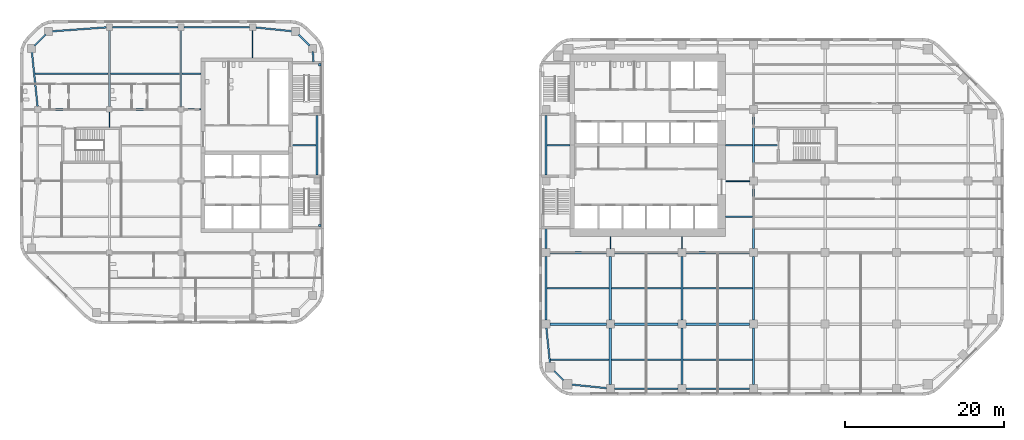
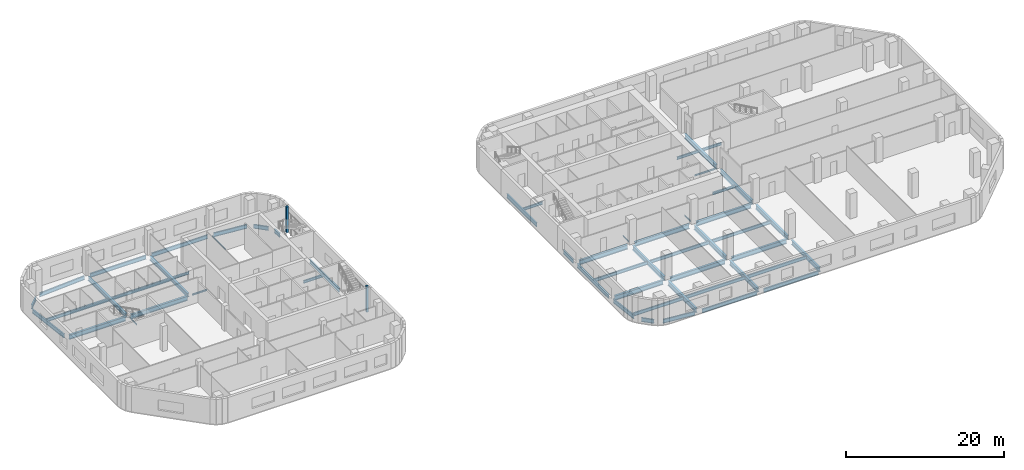
# One storey, part 2 of 15: 55 beams, 2 members.
"""IFC4 building model written with IfcOpenShell, lengths in metres."""

from ifc_helpers import new_model, si_unit, direction, frame, origin, origin_2d, place, context, subcontext, project, spatial, rectangle, i_section, extrude, material, material_profile, profile_set, type_object, element, save


model = new_model("IFC4")

# Units and contexts
model_context = context("Model", 3, precision=1e-05, world=origin(), true_north=direction((0.0, 1.0)))
body_context = subcontext(model_context, "Body", "Model", "MODEL_VIEW")
ifc_project = project(units=[si_unit("LENGTHUNIT", "METRE"), si_unit("AREAUNIT", "SQUARE_METRE"), si_unit("VOLUMEUNIT", "CUBIC_METRE"), si_unit("PLANEANGLEUNIT", "RADIAN"), si_unit("MASSUNIT", "GRAM", prefix="KILO")], contexts=[model_context])

# Site, building, storey
site_placement = place(None, origin())
site = spatial("IfcSite", under=ifc_project, at=site_placement, CompositionType="ELEMENT")
building_placement = place(site_placement, origin())
building = spatial("IfcBuilding", under=site, at=building_placement, Name="Cinnabar Reach Civic Tower", CompositionType="ELEMENT")
storey_placement = place(building_placement, frame((0.0, 0.0, 63.0)))
storey = spatial("IfcBuildingStorey", under=building, at=storey_placement, Name="L14", CompositionType="ELEMENT", Elevation=63.0)

# Beams
ifc_material_1 = material(Name="Steel Q355B", Category="steel")
ifc_material_profile_1 = material_profile(ifc_material_1, i_section(OverallWidth=0.302, OverallDepth=0.594, WebThickness=0.014, FlangeThickness=0.023, FilletRadius=0.016, at=origin_2d()), Name="HM594x302x14x23")
ifc_profile_set_1 = profile_set([ifc_material_profile_1], Name="Steel Q355B")
beam_type_1 = type_object("IfcBeamType", Name="HM594x302x14x23 beam R 120", PredefinedType="BEAM", material=ifc_profile_set_1)
for number, where, z_axis, x_axis, name in (
    (1, (-54.0, 36.352, -0.447), (0.0, 1.0, 0.0), (-1.0, 0.0, 0.0), "Girder T2 L14 5"),
    (2, (-45.0, 36.352, -0.447), (0.0, 1.0, 0.0), (-1.0, 0.0, 0.0), "Girder T2 L14 9"),
):
    element("IfcBeam", number, at=place(storey_placement, frame(where, z_axis=z_axis, x_axis=x_axis)), inside=storey, type_object=beam_type_1, Name=name, PredefinedType="BEAM", context=body_context, shape_type="SweptSolid", body=[
        extrude(i_section(OverallWidth=0.302, OverallDepth=0.594, WebThickness=0.014, FlangeThickness=0.023, FilletRadius=0.016, at=origin_2d()), origin(), (0.0, 0.0, 1.0), 9.596),
    ])
ifc_material_profile_2 = material_profile(ifc_material_1, i_section(OverallWidth=0.099, OverallDepth=0.198, WebThickness=0.0045, FlangeThickness=0.007, FilletRadius=0.013, at=origin_2d()), Name="HN200x100x5.5x8")
ifc_profile_set_2 = profile_set([ifc_material_profile_2], Name="Steel Q355B")
beam_type_2 = type_object("IfcBeamType", Name="HN200x100x5.5x8 beam R 120", PredefinedType="BEAM", material=ifc_profile_set_2)
beam_1_placement = place(storey_placement, frame((-54.0, 33.752, -0.249), z_axis=(0.0, 1.0, 0.0), x_axis=(-1.0, 0.0, 0.0)))
element("IfcBeam", 3, at=beam_1_placement, inside=storey, type_object=beam_type_2, Name="Girder T2 L14 4", PredefinedType="BEAM", context=body_context, shape_type="SweptSolid", body=[
    extrude(i_section(OverallWidth=0.099, OverallDepth=0.198, WebThickness=0.0045, FlangeThickness=0.007, FilletRadius=0.013, at=origin_2d()), origin(), (0.0, 0.0, 1.0), 1.896),
])
beam_2_placement = place(storey_placement, frame((-36.0, 42.502, -0.249), z_axis=(0.0, 1.0, 0.0), x_axis=(-1.0, 0.0, 0.0)))
element("IfcBeam", 4, at=beam_2_placement, inside=storey, type_object=beam_type_2, Name="Girder T2 L14 12", PredefinedType="BEAM", context=body_context, shape_type="SweptSolid", body=[
    extrude(i_section(OverallWidth=0.099, OverallDepth=0.198, WebThickness=0.0045, FlangeThickness=0.007, FilletRadius=0.013, at=origin_2d()), origin(), (0.0, 0.0, 1.0), 3.446),
])
ifc_material_profile_3 = material_profile(ifc_material_1, i_section(OverallWidth=0.099, OverallDepth=0.198, WebThickness=0.0045, FlangeThickness=0.007, FilletRadius=0.013, at=origin_2d()), Name="HN200x100x5.5x8")
ifc_profile_set_3 = profile_set([ifc_material_profile_3], Name="Steel Q355B")
beam_type_3 = type_object("IfcBeamType", Name="HN200x100x5.5x8 beam R 180", PredefinedType="BEAM", material=ifc_profile_set_3)
for number, where, z_axis, x_axis, name in (
    (5, (9.0, 18.502, -0.249), (0.0, 1.0, 0.0), (-1.0, 0.0, 0.0), "Girder T1 L14 3"),
    (6, (18.0, 18.502, -0.249), (0.0, 1.0, 0.0), (-1.0, 0.0, 0.0), "Girder T1 L14 6"),
):
    element("IfcBeam", number, at=place(storey_placement, frame(where, z_axis=z_axis, x_axis=x_axis)), inside=storey, type_object=beam_type_3, Name=name, PredefinedType="BEAM", context=body_context, shape_type="SweptSolid", body=[
        extrude(i_section(OverallWidth=0.099, OverallDepth=0.198, WebThickness=0.0045, FlangeThickness=0.007, FilletRadius=0.013, at=origin_2d()), origin(), (0.0, 0.0, 1.0), 1.496),
    ])
ifc_material_profile_4 = material_profile(ifc_material_1, i_section(OverallWidth=0.124, OverallDepth=0.248, WebThickness=0.005, FlangeThickness=0.008, FilletRadius=0.013, at=origin_2d()), Name="HN250x125x6x9")
ifc_profile_set_4 = profile_set([ifc_material_profile_4], Name="Steel Q355B")
beam_type_4 = type_object("IfcBeamType", Name="HN250x125x6x9 beam R 120", PredefinedType="BEAM", material=ifc_profile_set_4)
beam_3_placement = place(storey_placement, frame((-44.648, 36.0, -0.274), z_axis=(1.0, 0.0, 0.0), x_axis=(0.0, 1.0, 0.0)))
element("IfcBeam", 7, at=beam_3_placement, inside=storey, type_object=beam_type_4, Name="Girder T2 L14 10", PredefinedType="BEAM", context=body_context, shape_type="SweptSolid", body=[
    extrude(i_section(OverallWidth=0.124, OverallDepth=0.248, WebThickness=0.005, FlangeThickness=0.008, FilletRadius=0.013, at=origin_2d()), origin(), (0.0, 0.0, 1.0), 2.146),
])
ifc_material_profile_5 = material_profile(ifc_material_1, i_section(OverallWidth=0.124, OverallDepth=0.248, WebThickness=0.005, FlangeThickness=0.008, FilletRadius=0.013, at=origin_2d()), Name="HN250x125x6x9")
ifc_profile_set_5 = profile_set([ifc_material_profile_5], Name="Steel Q355B")
beam_type_5 = type_object("IfcBeamType", Name="HN250x125x6x9 beam R 180", PredefinedType="BEAM", material=ifc_profile_set_5)
beam_4_placement = place(storey_placement, frame((23.502, 27.0, -0.274), z_axis=(1.0, 0.0, 0.0), x_axis=(0.0, 1.0, 0.0)))
element("IfcBeam", 8, at=beam_4_placement, inside=storey, type_object=beam_type_5, Name="Girder T1 L14 15", PredefinedType="BEAM", context=body_context, shape_type="SweptSolid", body=[
    extrude(i_section(OverallWidth=0.124, OverallDepth=0.248, WebThickness=0.005, FlangeThickness=0.008, FilletRadius=0.013, at=origin_2d()), origin(), (0.0, 0.0, 1.0), 2.996),
])
ifc_material_profile_6 = material_profile(ifc_material_1, i_section(OverallWidth=0.199, OverallDepth=0.396, WebThickness=0.007, FlangeThickness=0.011, FilletRadius=0.013, at=origin_2d()), Name="HN396x199x7x11")
ifc_profile_set_6 = profile_set([ifc_material_profile_6], Name="Steel Q355B")
beam_type_6 = type_object("IfcBeamType", Name="HN396x199x7x11 beam R 120", PredefinedType="BEAM", material=ifc_profile_set_6)
beam_5_placement = place(storey_placement, frame((-30.998, 31.5, -0.348), z_axis=(1.0, 0.0, 0.0), x_axis=(0.0, 1.0, 0.0)))
element("IfcBeam", 9, at=beam_5_placement, inside=storey, type_object=beam_type_6, Name="Secondary beam T2 L14 11", PredefinedType="BEAM", context=body_context, shape_type="SweptSolid", body=[
    extrude(i_section(OverallWidth=0.199, OverallDepth=0.396, WebThickness=0.007, FlangeThickness=0.011, FilletRadius=0.013, at=origin_2d()), origin(), (0.0, 0.0, 1.0), 2.996),
])
beam_6_placement = place(storey_placement, frame((-44.847, 40.5, -0.348), z_axis=(1.0, 0.0, 0.0), x_axis=(0.0, 1.0, 0.0)))
element("IfcBeam", 10, at=beam_6_placement, inside=storey, type_object=beam_type_6, Name="Secondary beam T2 L14 14", PredefinedType="BEAM", context=body_context, shape_type="SweptSolid", body=[
    extrude(i_section(OverallWidth=0.199, OverallDepth=0.396, WebThickness=0.007, FlangeThickness=0.011, FilletRadius=0.013, at=origin_2d()), origin(), (0.0, 0.0, 1.0), 2.345),
])
ifc_material_profile_7 = material_profile(ifc_material_1, i_section(OverallWidth=0.2, OverallDepth=0.4, WebThickness=0.008, FlangeThickness=0.013, FilletRadius=0.016, at=origin_2d()), Name="HN400x200x8x13")
ifc_profile_set_7 = profile_set([ifc_material_profile_7], Name="Steel Q355B")
beam_type_7 = type_object("IfcBeamType", Name="HN400x200x8x13 beam R 180", PredefinedType="BEAM", material=ifc_profile_set_7)
beam_7_placement = place(storey_placement, frame((23.502, 22.5, -0.35), z_axis=(1.0, 0.0, 0.0), x_axis=(0.0, 1.0, 0.0)))
element("IfcBeam", 11, at=beam_7_placement, inside=storey, type_object=beam_type_7, Name="Secondary beam T1 L14 14", PredefinedType="BEAM", context=body_context, shape_type="SweptSolid", body=[
    extrude(i_section(OverallWidth=0.2, OverallDepth=0.4, WebThickness=0.008, FlangeThickness=0.013, FilletRadius=0.016, at=origin_2d()), origin(), (0.0, 0.0, 1.0), 3.346),
])
beam_8_placement = place(storey_placement, frame((1.002, 31.5, -0.35), z_axis=(1.0, 0.0, 0.0), x_axis=(0.0, 1.0, 0.0)))
element("IfcBeam", 12, at=beam_8_placement, inside=storey, type_object=beam_type_7, Name="Secondary beam T1 L14 19", PredefinedType="BEAM", context=body_context, shape_type="SweptSolid", body=[
    extrude(i_section(OverallWidth=0.2, OverallDepth=0.4, WebThickness=0.008, FlangeThickness=0.013, FilletRadius=0.016, at=origin_2d()), origin(), (0.0, 0.0, 1.0), 2.896),
])
beam_9_placement = place(storey_placement, frame((23.502, 31.5, -0.35), z_axis=(1.0, 0.0, 0.0), x_axis=(0.0, 1.0, 0.0)))
element("IfcBeam", 13, at=beam_9_placement, inside=storey, type_object=beam_type_7, Name="Secondary beam T1 L14 20", PredefinedType="BEAM", context=body_context, shape_type="SweptSolid", body=[
    extrude(i_section(OverallWidth=0.2, OverallDepth=0.4, WebThickness=0.008, FlangeThickness=0.013, FilletRadius=0.016, at=origin_2d()), origin(), (0.0, 0.0, 1.0), 3.346),
])
beam_10_placement = place(storey_placement, frame((27.152, 31.5, -0.35), z_axis=(1.0, 0.0, 0.0), x_axis=(0.0, 1.0, 0.0)))
element("IfcBeam", 14, at=beam_10_placement, inside=storey, type_object=beam_type_7, Name="Secondary beam T1 L14 21", PredefinedType="BEAM", context=body_context, shape_type="SweptSolid", body=[
    extrude(i_section(OverallWidth=0.2, OverallDepth=0.4, WebThickness=0.008, FlangeThickness=0.013, FilletRadius=0.016, at=origin_2d()), origin(), (0.0, 0.0, 1.0), 2.846),
])
ifc_material_profile_8 = material_profile(ifc_material_1, i_section(OverallWidth=0.199, OverallDepth=0.496, WebThickness=0.009, FlangeThickness=0.014, FilletRadius=0.016, at=origin_2d()), Name="HN496x199x9x14")
ifc_profile_set_8 = profile_set([ifc_material_profile_8], Name="Steel Q355B")
beam_type_8 = type_object("IfcBeamType", Name="HN496x199x9x14 beam R 120", PredefinedType="BEAM", material=ifc_profile_set_8)
beam_11_placement = place(storey_placement, frame((-63.3663, 40.5, -0.398), z_axis=(1.0, 0.0, 0.0), x_axis=(0.0, 1.0, 0.0)))
element("IfcBeam", 15, at=beam_11_placement, inside=storey, type_object=beam_type_8, Name="Secondary beam T2 L14 12", PredefinedType="BEAM", context=body_context, shape_type="SweptSolid", body=[
    extrude(i_section(OverallWidth=0.199, OverallDepth=0.496, WebThickness=0.009, FlangeThickness=0.014, FilletRadius=0.016, at=origin_2d()), origin(), (0.0, 0.0, 1.0), 9.2133),
])
beam_12_placement = place(storey_placement, frame((-53.847, 40.5, -0.398), z_axis=(1.0, 0.0, 0.0), x_axis=(0.0, 1.0, 0.0)))
element("IfcBeam", 16, at=beam_12_placement, inside=storey, type_object=beam_type_8, Name="Secondary beam T2 L14 13", PredefinedType="BEAM", context=body_context, shape_type="SweptSolid", body=[
    extrude(i_section(OverallWidth=0.199, OverallDepth=0.496, WebThickness=0.009, FlangeThickness=0.014, FilletRadius=0.016, at=origin_2d()), origin(), (0.0, 0.0, 1.0), 8.694),
])
ifc_material_profile_9 = material_profile(ifc_material_1, i_section(OverallWidth=0.2, OverallDepth=0.5, WebThickness=0.01, FlangeThickness=0.016, FilletRadius=0.016, at=origin_2d()), Name="HN500x200x10x16")
ifc_profile_set_9 = profile_set([ifc_material_profile_9], Name="Steel Q355B")
beam_type_9 = type_object("IfcBeamType", Name="HN500x200x10x16 beam R 180", PredefinedType="BEAM", material=ifc_profile_set_9)
beam_13_placement = place(storey_placement, frame((1.4636, 4.5, -0.4), z_axis=(1.0, 0.0, 0.0), x_axis=(0.0, 1.0, 0.0)))
element("IfcBeam", 17, at=beam_13_placement, inside=storey, type_object=beam_type_9, Name="Secondary beam T1 L14 1", PredefinedType="BEAM", context=body_context, shape_type="SweptSolid", body=[
    extrude(i_section(OverallWidth=0.2, OverallDepth=0.5, WebThickness=0.01, FlangeThickness=0.016, FilletRadius=0.016, at=origin_2d()), origin(), (0.0, 0.0, 1.0), 7.3844),
])
for number, where, z_axis, x_axis, name in (
    (18, (9.152, 4.5, -0.4), (1.0, 0.0, 0.0), (0.0, 1.0, 0.0), "Secondary beam T1 L14 2"),
    (19, (18.152, 4.5, -0.4), (1.0, 0.0, 0.0), (0.0, 1.0, 0.0), "Secondary beam T1 L14 3"),
):
    element("IfcBeam", number, at=place(storey_placement, frame(where, z_axis=z_axis, x_axis=x_axis)), inside=storey, type_object=beam_type_9, Name=name, PredefinedType="BEAM", context=body_context, shape_type="SweptSolid", body=[
        extrude(i_section(OverallWidth=0.2, OverallDepth=0.5, WebThickness=0.01, FlangeThickness=0.016, FilletRadius=0.016, at=origin_2d()), origin(), (0.0, 0.0, 1.0), 8.696),
    ])
beam_14_placement = place(storey_placement, frame((1.002, 13.5, -0.4), z_axis=(1.0, 0.0, 0.0), x_axis=(0.0, 1.0, 0.0)))
element("IfcBeam", 20, at=beam_14_placement, inside=storey, type_object=beam_type_9, Name="Secondary beam T1 L14 7", PredefinedType="BEAM", context=body_context, shape_type="SweptSolid", body=[
    extrude(i_section(OverallWidth=0.2, OverallDepth=0.5, WebThickness=0.01, FlangeThickness=0.016, FilletRadius=0.016, at=origin_2d()), origin(), (0.0, 0.0, 1.0), 7.846),
])
for number, where, z_axis, x_axis, name in (
    (21, (9.152, 13.5, -0.4), (1.0, 0.0, 0.0), (0.0, 1.0, 0.0), "Secondary beam T1 L14 8"),
    (22, (18.152, 13.5, -0.4), (1.0, 0.0, 0.0), (0.0, 1.0, 0.0), "Secondary beam T1 L14 9"),
):
    element("IfcBeam", number, at=place(storey_placement, frame(where, z_axis=z_axis, x_axis=x_axis)), inside=storey, type_object=beam_type_9, Name=name, PredefinedType="BEAM", context=body_context, shape_type="SweptSolid", body=[
        extrude(i_section(OverallWidth=0.2, OverallDepth=0.5, WebThickness=0.01, FlangeThickness=0.016, FilletRadius=0.016, at=origin_2d()), origin(), (0.0, 0.0, 1.0), 8.696),
    ])
ifc_material_profile_10 = material_profile(ifc_material_1, i_section(OverallWidth=0.2, OverallDepth=0.6, WebThickness=0.011, FlangeThickness=0.017, FilletRadius=0.016, at=origin_2d()), Name="HN600x200x11x17")
ifc_profile_set_10 = profile_set([ifc_material_profile_10], Name="Steel Q355B")
beam_type_10 = type_object("IfcBeamType", Name="HN600x200x11x17 beam R 120", PredefinedType="BEAM", material=ifc_profile_set_10)
beam_15_placement = place(storey_placement, frame((-27.9, 27.752, -0.45), z_axis=(0.0, 1.0, 0.0), x_axis=(-1.0, 0.0, 0.0)))
element("IfcBeam", 23, at=beam_15_placement, inside=storey, type_object=beam_type_10, Name="Edge beam T2 L14 7", PredefinedType="BEAM", context=body_context, shape_type="SweptSolid", body=[
    extrude(i_section(OverallWidth=0.2, OverallDepth=0.6, WebThickness=0.011, FlangeThickness=0.017, FilletRadius=0.016, at=origin_2d()), origin(), (0.0, 0.0, 1.0), 7.496),
])
beam_16_placement = place(storey_placement, frame((-28.3341, 42.002, -0.45), z_axis=(-0.072116143061, 0.997396241175, 0.0), x_axis=(-0.997396241175, -0.072116143061, 0.0)))
element("IfcBeam", 24, at=beam_16_placement, inside=storey, type_object=beam_type_10, Name="Edge beam T2 L14 8", PredefinedType="BEAM", context=body_context, shape_type="SweptSolid", body=[
    extrude(i_section(OverallWidth=0.2, OverallDepth=0.6, WebThickness=0.011, FlangeThickness=0.017, FilletRadius=0.016, at=origin_2d()), origin(), (0.0, 0.0, 1.0), 1.2674),
])
beam_17_placement = place(storey_placement, frame((-28.8351, 44.0301, -0.45), z_axis=(-0.707106781187, 0.707106781187, 0.0), x_axis=(-0.707106781187, -0.707106781187, 0.0)))
element("IfcBeam", 25, at=beam_17_placement, inside=storey, type_object=beam_type_10, Name="Edge beam T2 L14 9", PredefinedType="BEAM", context=body_context, shape_type="SweptSolid", body=[
    extrude(i_section(OverallWidth=0.2, OverallDepth=0.6, WebThickness=0.011, FlangeThickness=0.017, FilletRadius=0.016, at=origin_2d()), origin(), (0.0, 0.0, 1.0), 1.9584),
])
beam_18_placement = place(storey_placement, frame((-30.9839, 45.836, -0.45), z_axis=(-0.994791084875, 0.101934770579, 0.0), x_axis=(-0.101934770579, -0.994791084875, 0.0)))
element("IfcBeam", 26, at=beam_18_placement, inside=storey, type_object=beam_type_10, Name="Edge beam T2 L14 10", PredefinedType="BEAM", context=body_context, shape_type="SweptSolid", body=[
    extrude(i_section(OverallWidth=0.2, OverallDepth=0.6, WebThickness=0.011, FlangeThickness=0.017, FilletRadius=0.016, at=origin_2d()), origin(), (0.0, 0.0, 1.0), 4.6383),
])
for number, where, z_axis, x_axis, name in (
    (27, (-36.402, 46.35, -0.45), (-1.0, 0.0, 0.0), (0.0, -1.0, 0.0), "Edge beam T2 L14 11"),
    (28, (-45.402, 46.35, -0.45), (-1.0, 0.0, 0.0), (0.0, -1.0, 0.0), "Edge beam T2 L14 12"),
):
    element("IfcBeam", number, at=place(storey_placement, frame(where, z_axis=z_axis, x_axis=x_axis)), inside=storey, type_object=beam_type_10, Name=name, PredefinedType="BEAM", context=body_context, shape_type="SweptSolid", body=[
        extrude(i_section(OverallWidth=0.2, OverallDepth=0.6, WebThickness=0.011, FlangeThickness=0.017, FilletRadius=0.016, at=origin_2d()), origin(), (0.0, 0.0, 1.0), 8.196),
    ])
beam_19_placement = place(storey_placement, frame((-54.402, 46.3209, -0.45), z_axis=(-0.997395244781, -0.072129922278, 0.0), x_axis=(0.072129922278, -0.997395244781, 0.0)))
element("IfcBeam", 29, at=beam_19_placement, inside=storey, type_object=beam_type_10, Name="Edge beam T2 L14 13", PredefinedType="BEAM", context=body_context, shape_type="SweptSolid", body=[
    extrude(i_section(OverallWidth=0.2, OverallDepth=0.6, WebThickness=0.011, FlangeThickness=0.017, FilletRadius=0.016, at=origin_2d()), origin(), (0.0, 0.0, 1.0), 6.882),
])
beam_20_placement = place(storey_placement, frame((-62.0301, 45.4149, -0.45), z_axis=(-0.707106781187, -0.707106781187, 0.0), x_axis=(0.707106781187, -0.707106781187, 0.0)))
element("IfcBeam", 30, at=beam_20_placement, inside=storey, type_object=beam_type_10, Name="Edge beam T2 L14 14", PredefinedType="BEAM", context=body_context, shape_type="SweptSolid", body=[
    extrude(i_section(OverallWidth=0.2, OverallDepth=0.6, WebThickness=0.011, FlangeThickness=0.017, FilletRadius=0.016, at=origin_2d()), origin(), (0.0, 0.0, 1.0), 1.9584),
])
beam_21_placement = place(storey_placement, frame((-63.7571, 43.2661, -0.45), z_axis=(0.103633260175, -0.994615577691, 0.0), x_axis=(0.994615577691, 0.103633260175, 0.0)))
element("IfcBeam", 31, at=beam_21_placement, inside=storey, type_object=beam_type_10, Name="Edge beam T2 L14 15", PredefinedType="BEAM", context=body_context, shape_type="SweptSolid", body=[
    extrude(i_section(OverallWidth=0.2, OverallDepth=0.6, WebThickness=0.011, FlangeThickness=0.017, FilletRadius=0.016, at=origin_2d()), origin(), (0.0, 0.0, 1.0), 6.9013),
])
ifc_material_profile_11 = material_profile(ifc_material_1, i_section(OverallWidth=0.2, OverallDepth=0.6, WebThickness=0.011, FlangeThickness=0.017, FilletRadius=0.016, at=origin_2d()), Name="HN600x200x11x17")
ifc_profile_set_11 = profile_set([ifc_material_profile_11], Name="Steel Q355B")
beam_type_11 = type_object("IfcBeamType", Name="HN600x200x11x17 beam R 180", PredefinedType="BEAM", material=ifc_profile_set_11)
beam_22_placement = place(storey_placement, frame((4.0839, 1.4037, -0.45), z_axis=(0.994791228755, -0.101933366432, 0.0), x_axis=(0.101933366432, 0.994791228755, 0.0)))
element("IfcBeam", 32, at=beam_22_placement, inside=storey, type_object=beam_type_11, Name="Edge beam T1 L14 1", PredefinedType="BEAM", context=body_context, shape_type="SweptSolid", body=[
    extrude(i_section(OverallWidth=0.2, OverallDepth=0.6, WebThickness=0.011, FlangeThickness=0.017, FilletRadius=0.016, at=origin_2d()), origin(), (0.0, 0.0, 1.0), 4.4372),
])
for number, where, z_axis, x_axis, name in (
    (33, (9.502, 0.9, -0.45), (1.0, 0.0, 0.0), (0.0, 1.0, 0.0), "Edge beam T1 L14 2"),
    (34, (18.502, 0.9, -0.45), (1.0, 0.0, 0.0), (0.0, 1.0, 0.0), "Edge beam T1 L14 3"),
):
    element("IfcBeam", number, at=place(storey_placement, frame(where, z_axis=z_axis, x_axis=x_axis)), inside=storey, type_object=beam_type_11, Name=name, PredefinedType="BEAM", context=body_context, shape_type="SweptSolid", body=[
        extrude(i_section(OverallWidth=0.2, OverallDepth=0.6, WebThickness=0.011, FlangeThickness=0.017, FilletRadius=0.016, at=origin_2d()), origin(), (0.0, 0.0, 1.0), 7.996),
    ])
beam_23_placement = place(storey_placement, frame((0.9, 35.248, -0.45), z_axis=(0.0, -1.0, 0.0), x_axis=(1.0, 0.0, 0.0)))
element("IfcBeam", 35, at=beam_23_placement, inside=storey, type_object=beam_type_11, Name="Edge beam T1 L14 20", PredefinedType="BEAM", context=body_context, shape_type="SweptSolid", body=[
    extrude(i_section(OverallWidth=0.2, OverallDepth=0.6, WebThickness=0.011, FlangeThickness=0.017, FilletRadius=0.016, at=origin_2d()), origin(), (0.0, 0.0, 1.0), 7.496),
])
beam_24_placement = place(storey_placement, frame((0.9, 20.998, -0.45), z_axis=(0.0, -1.0, 0.0), x_axis=(1.0, 0.0, 0.0)))
element("IfcBeam", 36, at=beam_24_placement, inside=storey, type_object=beam_type_11, Name="Edge beam T1 L14 21", PredefinedType="BEAM", context=body_context, shape_type="SweptSolid", body=[
    extrude(i_section(OverallWidth=0.2, OverallDepth=0.6, WebThickness=0.011, FlangeThickness=0.017, FilletRadius=0.016, at=origin_2d()), origin(), (0.0, 0.0, 1.0), 2.496),
])
beam_25_placement = place(storey_placement, frame((0.9, 17.498, -0.45), z_axis=(0.0, -1.0, 0.0), x_axis=(1.0, 0.0, 0.0)))
element("IfcBeam", 37, at=beam_25_placement, inside=storey, type_object=beam_type_11, Name="Edge beam T1 L14 22", PredefinedType="BEAM", context=body_context, shape_type="SweptSolid", body=[
    extrude(i_section(OverallWidth=0.2, OverallDepth=0.6, WebThickness=0.011, FlangeThickness=0.017, FilletRadius=0.016, at=origin_2d()), origin(), (0.0, 0.0, 1.0), 7.996),
])
beam_26_placement = place(storey_placement, frame((0.9514, 8.498, -0.45), z_axis=(0.101933366432, -0.994791228755, 0.0), x_axis=(0.994791228755, 0.101933366432, 0.0)))
element("IfcBeam", 38, at=beam_26_placement, inside=storey, type_object=beam_type_11, Name="Edge beam T1 L14 23", PredefinedType="BEAM", context=body_context, shape_type="SweptSolid", body=[
    extrude(i_section(OverallWidth=0.2, OverallDepth=0.6, WebThickness=0.011, FlangeThickness=0.017, FilletRadius=0.016, at=origin_2d()), origin(), (0.0, 0.0, 1.0), 4.4372),
])
beam_27_placement = place(storey_placement, frame((1.9351, 3.1199, -0.45), z_axis=(0.707106781187, -0.707106781187, 0.0), x_axis=(0.707106781187, 0.707106781187, 0.0)))
element("IfcBeam", 39, at=beam_27_placement, inside=storey, type_object=beam_type_11, Name="Edge beam T1 L14 24", PredefinedType="BEAM", context=body_context, shape_type="SweptSolid", body=[
    extrude(i_section(OverallWidth=0.2, OverallDepth=0.6, WebThickness=0.011, FlangeThickness=0.017, FilletRadius=0.016, at=origin_2d()), origin(), (0.0, 0.0, 1.0), 1.6756),
])
ifc_material_profile_12 = material_profile(ifc_material_1, i_section(OverallWidth=0.3, OverallDepth=0.692, WebThickness=0.013, FlangeThickness=0.02, FilletRadius=0.016, at=origin_2d()), Name="HN692x300x13x20")
ifc_profile_set_12 = profile_set([ifc_material_profile_12], Name="Steel Q355B")
beam_type_12 = type_object("IfcBeamType", Name="HN692x300x13x20 beam R 120", PredefinedType="BEAM", material=ifc_profile_set_12)
beam_28_placement = place(storey_placement, frame((-62.598, 36.0, -0.496), z_axis=(1.0, 0.0, 0.0), x_axis=(0.0, 1.0, 0.0)))
element("IfcBeam", 40, at=beam_28_placement, inside=storey, type_object=beam_type_12, Name="Girder T2 L14 8", PredefinedType="BEAM", context=body_context, shape_type="SweptSolid", body=[
    extrude(i_section(OverallWidth=0.3, OverallDepth=0.692, WebThickness=0.013, FlangeThickness=0.02, FilletRadius=0.016, at=origin_2d()), origin(), (0.0, 0.0, 1.0), 8.246),
])
beam_29_placement = place(storey_placement, frame((-53.648, 36.0, -0.496), z_axis=(1.0, 0.0, 0.0), x_axis=(0.0, 1.0, 0.0)))
element("IfcBeam", 41, at=beam_29_placement, inside=storey, type_object=beam_type_12, Name="Girder T2 L14 9", PredefinedType="BEAM", context=body_context, shape_type="SweptSolid", body=[
    extrude(i_section(OverallWidth=0.3, OverallDepth=0.692, WebThickness=0.013, FlangeThickness=0.02, FilletRadius=0.016, at=origin_2d()), origin(), (0.0, 0.0, 1.0), 8.296),
])
ifc_material_profile_13 = material_profile(ifc_material_1, i_section(OverallWidth=0.3, OverallDepth=0.692, WebThickness=0.013, FlangeThickness=0.02, FilletRadius=0.016, at=origin_2d()), Name="HN692x300x13x20")
ifc_profile_set_13 = profile_set([ifc_material_profile_13], Name="Steel Q355B")
beam_type_13 = type_object("IfcBeamType", Name="HN692x300x13x20 beam R 180", PredefinedType="BEAM", material=ifc_profile_set_13)
beam_30_placement = place(storey_placement, frame((9.0, 1.402, -0.496), z_axis=(0.0, 1.0, 0.0), x_axis=(-1.0, 0.0, 0.0)))
element("IfcBeam", 42, at=beam_30_placement, inside=storey, type_object=beam_type_13, Name="Girder T1 L14 1", PredefinedType="BEAM", context=body_context, shape_type="SweptSolid", body=[
    extrude(i_section(OverallWidth=0.3, OverallDepth=0.692, WebThickness=0.013, FlangeThickness=0.02, FilletRadius=0.016, at=origin_2d()), origin(), (0.0, 0.0, 1.0), 7.096),
])
beam_31_placement = place(storey_placement, frame((9.0, 9.502, -0.496), z_axis=(0.0, 1.0, 0.0), x_axis=(-1.0, 0.0, 0.0)))
element("IfcBeam", 43, at=beam_31_placement, inside=storey, type_object=beam_type_13, Name="Girder T1 L14 2", PredefinedType="BEAM", context=body_context, shape_type="SweptSolid", body=[
    extrude(i_section(OverallWidth=0.3, OverallDepth=0.692, WebThickness=0.013, FlangeThickness=0.02, FilletRadius=0.016, at=origin_2d()), origin(), (0.0, 0.0, 1.0), 7.996),
])
beam_32_placement = place(storey_placement, frame((18.0, 1.402, -0.496), z_axis=(0.0, 1.0, 0.0), x_axis=(-1.0, 0.0, 0.0)))
element("IfcBeam", 44, at=beam_32_placement, inside=storey, type_object=beam_type_13, Name="Girder T1 L14 4", PredefinedType="BEAM", context=body_context, shape_type="SweptSolid", body=[
    extrude(i_section(OverallWidth=0.3, OverallDepth=0.692, WebThickness=0.013, FlangeThickness=0.02, FilletRadius=0.016, at=origin_2d()), origin(), (0.0, 0.0, 1.0), 7.096),
])
beam_33_placement = place(storey_placement, frame((18.0, 9.502, -0.496), z_axis=(0.0, 1.0, 0.0), x_axis=(-1.0, 0.0, 0.0)))
element("IfcBeam", 45, at=beam_33_placement, inside=storey, type_object=beam_type_13, Name="Girder T1 L14 5", PredefinedType="BEAM", context=body_context, shape_type="SweptSolid", body=[
    extrude(i_section(OverallWidth=0.3, OverallDepth=0.692, WebThickness=0.013, FlangeThickness=0.02, FilletRadius=0.016, at=origin_2d()), origin(), (0.0, 0.0, 1.0), 7.996),
])
beam_34_placement = place(storey_placement, frame((27.0, 1.402, -0.496), z_axis=(0.0, 1.0, 0.0), x_axis=(-1.0, 0.0, 0.0)))
element("IfcBeam", 46, at=beam_34_placement, inside=storey, type_object=beam_type_13, Name="Girder T1 L14 7", PredefinedType="BEAM", context=body_context, shape_type="SweptSolid", body=[
    extrude(i_section(OverallWidth=0.3, OverallDepth=0.692, WebThickness=0.013, FlangeThickness=0.02, FilletRadius=0.016, at=origin_2d()), origin(), (0.0, 0.0, 1.0), 7.096),
])
for number, where, z_axis, x_axis, name in (
    (47, (27.0, 9.502, -0.496), (0.0, 1.0, 0.0), (-1.0, 0.0, 0.0), "Girder T1 L14 8"),
    (48, (27.0, 18.502, -0.496), (0.0, 1.0, 0.0), (-1.0, 0.0, 0.0), "Girder T1 L14 9"),
    (49, (27.0, 27.502, -0.496), (0.0, 1.0, 0.0), (-1.0, 0.0, 0.0), "Girder T1 L14 10"),
):
    element("IfcBeam", number, at=place(storey_placement, frame(where, z_axis=z_axis, x_axis=x_axis)), inside=storey, type_object=beam_type_13, Name=name, PredefinedType="BEAM", context=body_context, shape_type="SweptSolid", body=[
        extrude(i_section(OverallWidth=0.3, OverallDepth=0.692, WebThickness=0.013, FlangeThickness=0.02, FilletRadius=0.016, at=origin_2d()), origin(), (0.0, 0.0, 1.0), 7.996),
    ])
ifc_material_profile_14 = material_profile(ifc_material_1, i_section(OverallWidth=0.3, OverallDepth=0.7, WebThickness=0.013, FlangeThickness=0.024, FilletRadius=0.02, at=origin_2d()), Name="HN700x300x13x24")
ifc_profile_set_14 = profile_set([ifc_material_profile_14], Name="Steel Q355B")
beam_type_14 = type_object("IfcBeamType", Name="HN700x300x13x24 beam R 180", PredefinedType="BEAM", material=ifc_profile_set_14)
beam_35_placement = place(storey_placement, frame((1.402, 9.0, -0.5), z_axis=(1.0, 0.0, 0.0), x_axis=(0.0, 1.0, 0.0)))
element("IfcBeam", 50, at=beam_35_placement, inside=storey, type_object=beam_type_14, Name="Girder T1 L14 1", PredefinedType="BEAM", context=body_context, shape_type="SweptSolid", body=[
    extrude(i_section(OverallWidth=0.3, OverallDepth=0.7, WebThickness=0.013, FlangeThickness=0.024, FilletRadius=0.02, at=origin_2d()), origin(), (0.0, 0.0, 1.0), 7.096),
])
for number, where, z_axis, x_axis, name in (
    (51, (9.502, 9.0, -0.5), (1.0, 0.0, 0.0), (0.0, 1.0, 0.0), "Girder T1 L14 2"),
    (52, (18.502, 9.0, -0.5), (1.0, 0.0, 0.0), (0.0, 1.0, 0.0), "Girder T1 L14 3"),
):
    element("IfcBeam", number, at=place(storey_placement, frame(where, z_axis=z_axis, x_axis=x_axis)), inside=storey, type_object=beam_type_14, Name=name, PredefinedType="BEAM", context=body_context, shape_type="SweptSolid", body=[
        extrude(i_section(OverallWidth=0.3, OverallDepth=0.7, WebThickness=0.013, FlangeThickness=0.024, FilletRadius=0.02, at=origin_2d()), origin(), (0.0, 0.0, 1.0), 7.996),
    ])
beam_36_placement = place(storey_placement, frame((1.402, 18.0, -0.5), z_axis=(1.0, 0.0, 0.0), x_axis=(0.0, 1.0, 0.0)))
element("IfcBeam", 53, at=beam_36_placement, inside=storey, type_object=beam_type_14, Name="Girder T1 L14 8", PredefinedType="BEAM", context=body_context, shape_type="SweptSolid", body=[
    extrude(i_section(OverallWidth=0.3, OverallDepth=0.7, WebThickness=0.013, FlangeThickness=0.024, FilletRadius=0.02, at=origin_2d()), origin(), (0.0, 0.0, 1.0), 7.096),
])
for number, where, z_axis, x_axis, name in (
    (54, (9.502, 18.0, -0.5), (1.0, 0.0, 0.0), (0.0, 1.0, 0.0), "Girder T1 L14 9"),
    (55, (18.502, 18.0, -0.5), (1.0, 0.0, 0.0), (0.0, 1.0, 0.0), "Girder T1 L14 10"),
):
    element("IfcBeam", number, at=place(storey_placement, frame(where, z_axis=z_axis, x_axis=x_axis)), inside=storey, type_object=beam_type_14, Name=name, PredefinedType="BEAM", context=body_context, shape_type="SweptSolid", body=[
        extrude(i_section(OverallWidth=0.3, OverallDepth=0.7, WebThickness=0.013, FlangeThickness=0.024, FilletRadius=0.02, at=origin_2d()), origin(), (0.0, 0.0, 1.0), 7.996),
    ])

# Members
ifc_material_2 = material(Name="Concrete C40", Category="concrete")
ifc_material_profile_15 = material_profile(ifc_material_2, rectangle(XDim=0.3, YDim=0.3, at=origin_2d()), Name="C300")
ifc_profile_set_15 = profile_set([ifc_material_profile_15], Name="Concrete C40")
member_type = type_object("IfcMemberType", Name="T2 stair post 300", PredefinedType="STRUT", material=ifc_profile_set_15)
for number, where, z_axis, x_axis, name in (
    (56, (-27.55, 21.4, 0.0), (0.0, 0.0, 1.0), (1.0, 0.0, 0.0), "Stair post 1"),
    (57, (-27.55, 41.6, 0.0), (0.0, 0.0, 1.0), (1.0, 0.0, 0.0), "Stair post 2"),
):
    element("IfcMember", number, at=place(storey_placement, frame(where, z_axis=z_axis, x_axis=x_axis)), inside=storey, type_object=member_type, Name=name, PredefinedType="STRUT", context=body_context, shape_type="SweptSolid", body=[
        extrude(rectangle(XDim=0.3, YDim=0.3, at=origin_2d()), origin(), (0.0, 0.0, 1.0), 4.0),
    ])

save(model, "model.ifc")
